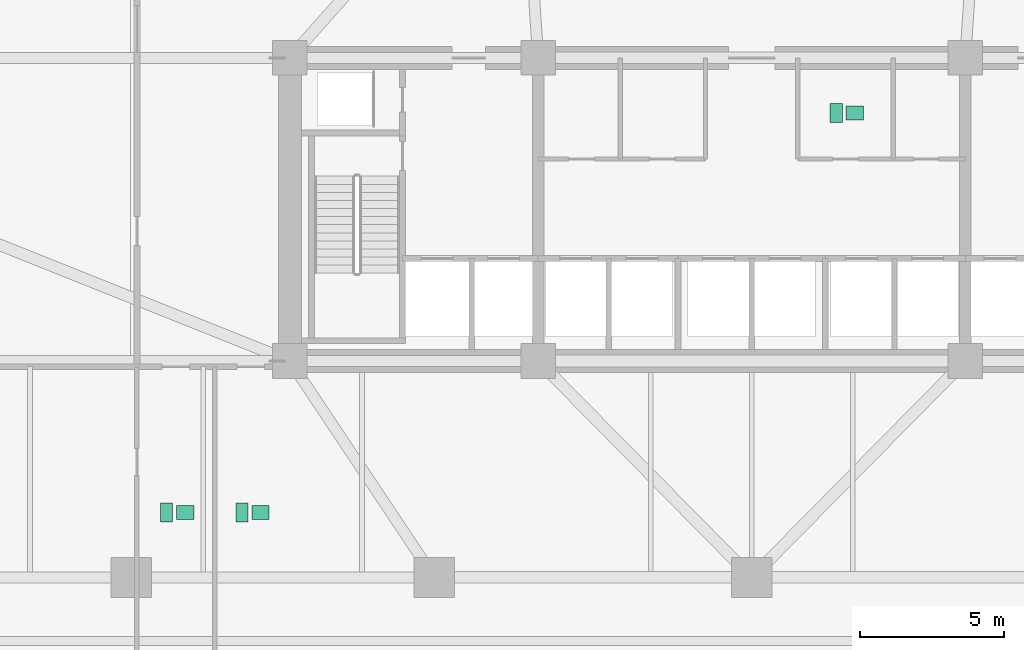
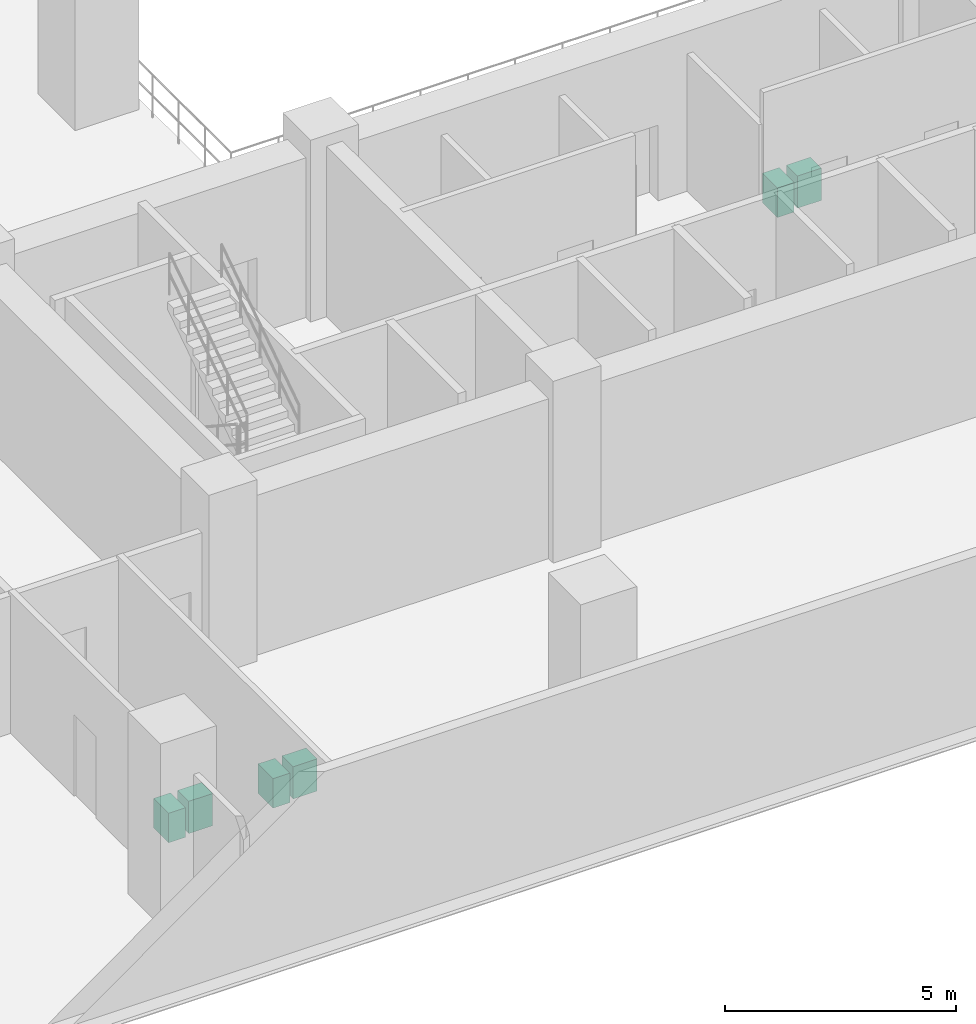
# One storey, part 15 of 15: 6 sanitary terminals.
"""IFC4 building model written with IfcOpenShell, lengths in metres."""

import ifcopenshell
import ifcopenshell.guid

model = None  # the IFC model being written
_history = None  # IfcOwnerHistory: only IFC2X3 demands one
_inside = {}  # id of a spatial element -> (the spatial element, [elements in it])
_under = {}  # id of a project, library or spatial element -> (it, [spatial elements below it])
_declared = {}  # id of a project -> (the project, [libraries it declares])
_typed = {}  # id of a type object -> (the type object, [elements of that type])
_made_of = {}  # id of a material, layer set ... -> (it, [elements and type objects made of it])


def new_model(schema):
    """Start an empty IFC model of exactly this schema.

    Asked for "IFC4X3", IfcOpenShell would pick the latest addendum, in which some entities
    have other attributes; the version numbers below select the first issue.
    IFC2X3 requires an IfcOwnerHistory on every rooted entity: one is made here for all.
    """
    global model, _history
    if schema == "IFC4X3":
        model = ifcopenshell.file(schema_version=(4, 3, 0, 0))
    else:
        model = ifcopenshell.file(schema=schema)
    _inside.clear()
    _under.clear()
    _declared.clear()
    _typed.clear()
    _made_of.clear()
    _history = None
    if model.schema == "IFC2X3":
        org = make("IfcOrganization", Name="unknown")
        user = make(
            "IfcPersonAndOrganization",
            ThePerson=make("IfcPerson", FamilyName="unknown"),
            TheOrganization=org,
        )
        app = make(
            "IfcApplication",
            ApplicationDeveloper=org,
            Version="unknown",
            ApplicationFullName="unknown",
            ApplicationIdentifier="unknown",
        )
        _history = make(
            "IfcOwnerHistory",
            OwningUser=user,
            OwningApplication=app,
            ChangeAction="ADDED",
            CreationDate=0,
        )
    return model


def make(cls, **values):
    """One entity of the class cls with the attributes given. An attribute that is None is left unset."""
    return model.create_entity(
        cls, **{name: value for name, value in values.items() if value is not None}
    )


def rooted(cls, **values):
    """An entity with a GlobalId (a new one), such as an element, a storey or a relation."""
    return make(cls, GlobalId=ifcopenshell.guid.new(), OwnerHistory=_history, **values)


def si_unit(unit_type, name, prefix=None):
    """IfcSIUnit, for example si_unit("LENGTHUNIT", "METRE", prefix="MILLI")."""
    return make("IfcSIUnit", UnitType=unit_type, Prefix=prefix, Name=name)


def assignment(units):
    """IfcUnitAssignment: the units of a project."""
    return None if units is None else make("IfcUnitAssignment", Units=units)


def point(xyz):
    """IfcCartesianPoint."""
    return None if xyz is None else make("IfcCartesianPoint", Coordinates=xyz)


def direction(xyz):
    """IfcDirection."""
    return None if xyz is None else make("IfcDirection", DirectionRatios=xyz)


def frame(location, z_axis=None, x_axis=None):
    """IfcAxis2Placement3D, a coordinate frame: its origin and axes. An axis left out is left unset."""
    return make(
        "IfcAxis2Placement3D",
        Location=point(location),
        Axis=direction(z_axis),
        RefDirection=direction(x_axis),
    )


def frame_2d(location, x_axis=None):
    """IfcAxis2Placement2D, a coordinate frame in the plane: its origin and x axis."""
    return make(
        "IfcAxis2Placement2D", Location=point(location), RefDirection=direction(x_axis)
    )


def origin():
    """The frame at (0, 0, 0) with its axes left unset."""
    return frame((0.0, 0.0, 0.0))


def origin_2d():
    """The frame at (0, 0) in the plane with its x axis left unset."""
    return frame_2d((0.0, 0.0))


def place(relative_to, where):
    """IfcLocalPlacement: puts the frame where relative to a parent placement (None: the world)."""
    return make(
        "IfcLocalPlacement", PlacementRelTo=relative_to, RelativePlacement=where
    )


def context(
    kind, dimensions, precision=None, world=None, true_north=None, identifier=None
):
    """IfcGeometricRepresentationContext, for example the 3D "Model" context."""
    return make(
        "IfcGeometricRepresentationContext",
        ContextIdentifier=identifier,
        ContextType=kind,
        CoordinateSpaceDimension=dimensions,
        Precision=precision,
        WorldCoordinateSystem=world,
        TrueNorth=true_north,
    )


def subcontext(parent, identifier, kind, view, scale=None):
    """IfcGeometricRepresentationSubContext, for example "Body" below "Model"."""
    return make(
        "IfcGeometricRepresentationSubContext",
        ContextIdentifier=identifier,
        ContextType=kind,
        ParentContext=parent,
        TargetScale=scale,
        TargetView=view,
    )


def project(units=None, contexts=None):
    """IfcProject with its units and contexts."""
    return rooted(
        "IfcProject",
        Name="project",
        RepresentationContexts=contexts,
        UnitsInContext=assignment(units),
    )


def spatial(cls, under=None, at=None, **own):
    """A site, building, storey or space (cls), placed at a placement, below another one or the project."""
    s = rooted(cls, ObjectPlacement=at, **own)
    if under is not None:
        _under.setdefault(under.id(), (under, []))[1].append(s)
    return s


def profile(cls, at=None, kind="AREA", **sizes):
    """A parametric profile (cls). Its sizes go by their IFC names, for example OverallWidth=200.0."""
    return make(cls, ProfileType=kind, Position=at, **sizes)


def rectangle(**sizes):
    """IfcRectangleProfileDef."""
    return profile("IfcRectangleProfileDef", **sizes)


def extrude(swept, where, along, depth):
    """IfcExtrudedAreaSolid: the profile swept, set in the frame where, extruded along a direction by depth."""
    return make(
        "IfcExtrudedAreaSolid",
        SweptArea=swept,
        Position=where,
        ExtrudedDirection=direction(along),
        Depth=depth,
    )


def shape(context_of_items, identifier, shape_type, items):
    """IfcShapeRepresentation: the items that make up one representation, for example the "Body"."""
    return make(
        "IfcShapeRepresentation",
        ContextOfItems=context_of_items,
        RepresentationIdentifier=identifier,
        RepresentationType=shape_type,
        Items=items,
    )


def material(Name=None, Category=None):
    """IfcMaterial."""
    return make("IfcMaterial", Name=Name, Category=Category)


def made_of(thing, what):
    """Note that an element or type object is made of a material, layer set ...; save() writes the relation."""
    if what is not None:
        _made_of.setdefault(what.id(), (what, []))[1].append(thing)
    return thing


def type_object(cls, material=None, **own):
    """A type object (cls), such as IfcWallType, which elements share."""
    return made_of(rooted(cls, **own), material)


def element(
    cls,
    number,
    at=None,
    inside=None,
    cuts=None,
    type_object=None,
    material=None,
    context=None,
    identifier="Body",
    shape_type=None,
    held_by="IfcProductDefinitionShape",
    body=None,
    shapes=None,
    **own,
):
    """One element of the class cls, such as IfcWall. Its Tag is "e" and its number.

    at: its placement. inside: the storey or other place that contains it. cuts: it is an
    opening in that element (IfcRelVoidsElement). A single representation is given by context,
    identifier, shape_type and body (its items); several are given by shapes. held_by: the class
    of the entity that holds the representations. save() writes the other relations.
    """
    e = rooted(cls, Tag="e%d" % number, ObjectPlacement=at, **own)
    if body is not None:
        shapes = [shape(context, identifier, shape_type, body)]
    if shapes is not None:
        e.Representation = make(held_by, Representations=shapes)
    if inside is not None:
        _inside.setdefault(inside.id(), (inside, []))[1].append(e)
    if cuts is not None:
        rooted(
            "IfcRelVoidsElement", RelatingBuildingElement=cuts, RelatedOpeningElement=e
        )
    if type_object is not None:
        _typed.setdefault(type_object.id(), (type_object, []))[1].append(e)
    return made_of(e, material)


def aggregate(whole, parts):
    """IfcRelAggregates: a whole, such as a stair, and the parts it consists of."""
    return rooted("IfcRelAggregates", RelatingObject=whole, RelatedObjects=parts)


def save(model, path):
    """Write the relations noted so far, then the file.

    IfcRelAggregates (storeys below a building ...), IfcRelContainedInSpatialStructure (elements
    in a storey), IfcRelDefinesByType, IfcRelAssociatesMaterial and IfcRelDeclares: one each for
    every whole, place, type object, material and project.
    """
    for whole, parts in _under.values():
        aggregate(whole, parts)
    for where, things in _inside.values():
        rooted(
            "IfcRelContainedInSpatialStructure",
            RelatedElements=things,
            RelatingStructure=where,
        )
    for kind, things in _typed.values():
        rooted("IfcRelDefinesByType", RelatedObjects=things, RelatingType=kind)
    for what, things in _made_of.values():
        rooted("IfcRelAssociatesMaterial", RelatedObjects=things, RelatingMaterial=what)
    for by, libraries in _declared.values():
        rooted("IfcRelDeclares", RelatingContext=by, RelatedDefinitions=libraries)
    model.write(path)


model = new_model("IFC4")

# Units and contexts
model_context = context("Model", 3, precision=1e-05, world=origin(), true_north=direction((0.0, 1.0)))
body_context = subcontext(model_context, "Body", "Model", "MODEL_VIEW")
ifc_project = project(units=[si_unit("LENGTHUNIT", "METRE"), si_unit("AREAUNIT", "SQUARE_METRE"), si_unit("VOLUMEUNIT", "CUBIC_METRE"), si_unit("PLANEANGLEUNIT", "RADIAN"), si_unit("MASSUNIT", "GRAM", prefix="KILO")], contexts=[model_context])

# Site, building, storey
site_placement = place(None, origin())
site = spatial("IfcSite", under=ifc_project, at=site_placement, CompositionType="ELEMENT")
building_placement = place(site_placement, origin())
building = spatial("IfcBuilding", under=site, at=building_placement, Name="Solmavex Isthmus Hotel", CompositionType="ELEMENT")
storey_placement = place(building_placement, frame((0.0, 0.0, 11.39990234375)))
storey = spatial("IfcBuildingStorey", under=building, at=storey_placement, Name="L03", CompositionType="ELEMENT", Elevation=11.39990234375)

# Sanitary terminals
ifc_material = material(Name="Vitreous china ceramic", Category="ceramic")
sanitary_terminal_type_1 = type_object("IfcSanitaryTerminalType", Name="SAN-BASIN", PredefinedType="WASHHANDBASIN", material=ifc_material)
for number, where, z_axis, x_axis, name in (
    (1, (3.570068359375, -4.409912109375, 0.0), (0.0, 0.0, 1.0), (1.0, 0.0, 0.0), "Vanity Washbasin L03-8"),
    (2, (-19.6298828125, -18.25, 0.0), (0.0, 0.0, 1.0), (1.0, 0.0, 0.0), "Vanity Washbasin L03-9"),
    (3, (-17.02001953125, -18.25, 0.0), (0.0, 0.0, 1.0), (1.0, 0.0, 0.0), "Vanity Washbasin L03-10"),
):
    element("IfcSanitaryTerminal", number, at=place(storey_placement, frame(where, z_axis=z_axis, x_axis=x_axis)), inside=storey, type_object=sanitary_terminal_type_1, Name=name, PredefinedType="WASHHANDBASIN", context=body_context, shape_type="SweptSolid", body=[
        extrude(rectangle(XDim=0.60009765625, YDim=0.47998046875, at=origin_2d()), origin(), (0.0, 0.0, 1.0), 0.85009765625),
    ])
sanitary_terminal_type_2 = type_object("IfcSanitaryTerminalType", Name="SAN-WC-SUITE", PredefinedType="TOILETPAN", material=ifc_material)
for number, where, z_axis, x_axis, name in (
    (4, (2.929931640625, -4.409912109375, 0.0), (0.0, 0.0, 1.0), (1.0, 0.0, 0.0), "Water Closet L03-8"),
    (5, (-20.27001953125, -18.25, 0.0), (0.0, 0.0, 1.0), (1.0, 0.0, 0.0), "Water Closet L03-9"),
    (6, (-17.659912109375, -18.25, 0.0), (0.0, 0.0, 1.0), (1.0, 0.0, 0.0), "Water Closet L03-10"),
):
    element("IfcSanitaryTerminal", number, at=place(storey_placement, frame(where, z_axis=z_axis, x_axis=x_axis)), inside=storey, type_object=sanitary_terminal_type_2, Name=name, PredefinedType="TOILETPAN", context=body_context, shape_type="SweptSolid", body=[
        extrude(rectangle(XDim=0.419921875, YDim=0.64990234375, at=origin_2d()), origin(), (0.0, 0.0, 1.0), 0.780029296875),
    ])

save(model, "model.ifc")
